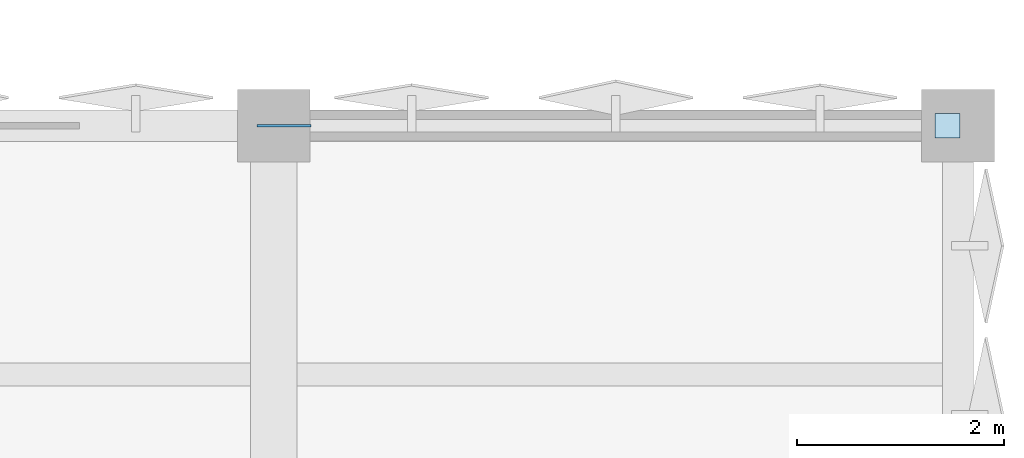
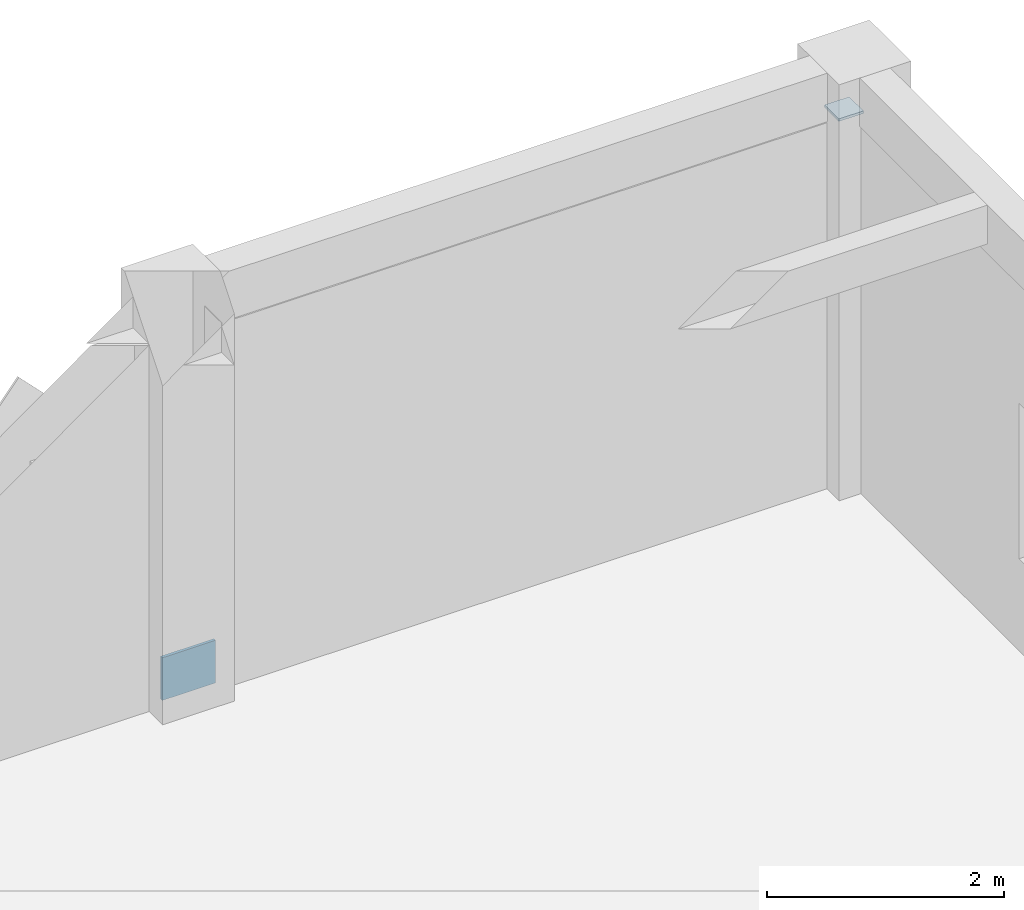
# One storey, part 64 of 80: 2 plates.
"""IFC4 building model written with IfcOpenShell, lengths in metres."""

from ifc_helpers import new_model, si_unit, direction, frame, origin, origin_2d, place, context, subcontext, project, spatial, rectangle, extrude, material, layer, layer_set, type_object, element, save


model = new_model("IFC4")

# Units and contexts
model_context = context("Model", 3, precision=1e-05, world=origin(), true_north=direction((0.0, 1.0)))
body_context = subcontext(model_context, "Body", "Model", "MODEL_VIEW")
ifc_project = project(units=[si_unit("LENGTHUNIT", "METRE"), si_unit("AREAUNIT", "SQUARE_METRE"), si_unit("VOLUMEUNIT", "CUBIC_METRE"), si_unit("PLANEANGLEUNIT", "RADIAN"), si_unit("MASSUNIT", "GRAM", prefix="KILO")], contexts=[model_context])

# Site, building, storey
site_placement = place(None, origin())
site = spatial("IfcSite", under=ifc_project, at=site_placement, CompositionType="ELEMENT")
building_placement = place(site_placement, origin())
building = spatial("IfcBuilding", under=site, at=building_placement, Name="Kharisveld Research Institute", CompositionType="ELEMENT")
storey_placement = place(building_placement, frame((0.0, 0.0, 5.10009765625)))
storey = spatial("IfcBuildingStorey", under=building, at=storey_placement, Name="L01", CompositionType="ELEMENT", Elevation=5.10009765625)

# Plates
ifc_material_1 = material(Name="Steel S355JR", Category="steel")
ifc_layer_1 = layer(ifc_material_1, 0.02587890625)
ifc_layer_set_1 = layer_set([ifc_layer_1], Name="PL_CAP_D")
plate_type_1 = type_object("IfcPlateType", Name="PL_CAP_D", PredefinedType="SHEET", material=ifc_layer_set_1)
plate_1_placement = place(storey_placement, frame((160.699951171875, 60.800048828125, 3.72705078125), z_axis=(0.0, 0.0, 1.0), x_axis=(1.0, 0.0, 0.0)))
element("IfcPlate", 1, at=plate_1_placement, inside=storey, type_object=plate_type_1, Name="PLT:V2:L01:CAP_6_3", PredefinedType="SHEET", context=body_context, shape_type="SweptSolid", body=[
    extrude(rectangle(XDim=0.239990234375, YDim=0.239990234375, at=origin_2d()), origin(), (0.0, 0.0, 1.0), 0.02587890625),
])
ifc_material_2 = material(Name="Steel S355JR", Category="steel")
ifc_layer_2 = layer(ifc_material_2, 0.028076171875)
ifc_layer_set_2 = layer_set([ifc_layer_2], Name="PL_GUS_D")
plate_type_2 = type_object("IfcPlateType", Name="PL_GUS_D", PredefinedType="USERDEFINED", material=ifc_layer_set_2)
plate_2_placement = place(storey_placement, frame((154.300048828125, 60.800048828125, -0.02001953125), z_axis=(0.0, 0.0, 1.0), x_axis=(1.0, 0.0, 0.0)))
element("IfcPlate", 2, at=plate_2_placement, inside=storey, type_object=plate_type_2, Name="PLT:V2:L01:GUS_6_3", ObjectType="GUSSET PLATE", PredefinedType="USERDEFINED", context=body_context, shape_type="SweptSolid", body=[
    extrude(rectangle(XDim=0.52001953125, YDim=0.028076171875, at=origin_2d()), origin(), (0.0, 0.0, 1.0), 0.43994140625),
])

save(model, "model.ifc")
